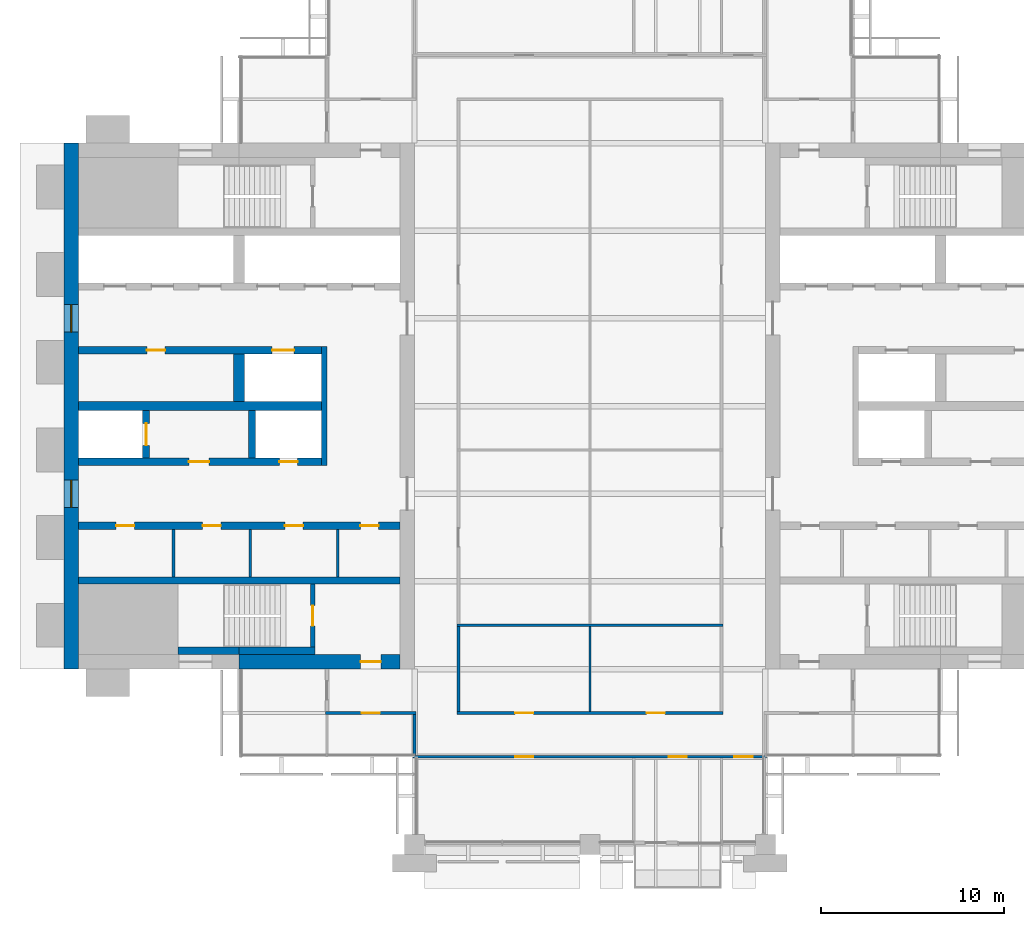
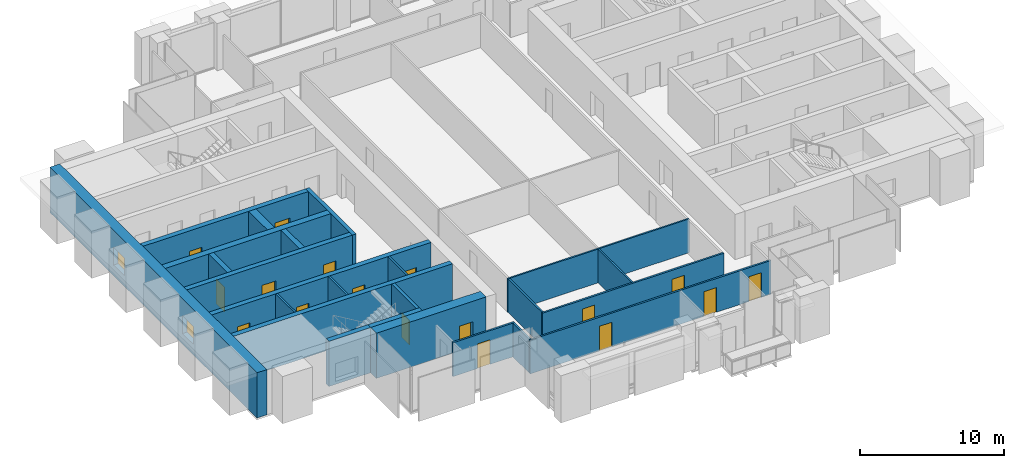
# One storey, part 8 of 14: 24 walls, 17 doors, 2 windows, 19 openings.
"""IFC4 building model written with IfcOpenShell, lengths in metres."""

from ifc_helpers import new_model, si_unit, direction, frame, frame_2d, origin, place, context, subcontext, project, spatial, rectangle, extrude, material, layer, layer_set, type_object, element, fill, save


model = new_model("IFC4")

# Units and contexts
model_context = context("Model", 3, precision=1e-05, world=origin(), true_north=direction((0.0, 1.0)))
body_context = subcontext(model_context, "Body", "Model", "MODEL_VIEW")
ifc_project = project(units=[si_unit("LENGTHUNIT", "METRE"), si_unit("AREAUNIT", "SQUARE_METRE"), si_unit("VOLUMEUNIT", "CUBIC_METRE"), si_unit("PLANEANGLEUNIT", "RADIAN"), si_unit("MASSUNIT", "GRAM", prefix="KILO")], contexts=[model_context])

# Site, building, storey
site_placement = place(None, origin())
site = spatial("IfcSite", under=ifc_project, at=site_placement, CompositionType="ELEMENT")
building_placement = place(site_placement, origin())
building = spatial("IfcBuilding", under=site, at=building_placement, Name="Baori Bourse Tower", CompositionType="ELEMENT")
storey_placement = place(building_placement, frame((0.0, 0.0, 197.199951171875)))
storey = spatial("IfcBuildingStorey", under=building, at=storey_placement, Name="L42", CompositionType="ELEMENT", Elevation=197.199951171875)

# Walls
ifc_material_1 = material(Name="Blockwork partition", Category="masonry")
ifc_layer_1 = layer(ifc_material_1, 0.14990234375)
ifc_layer_set_1 = layer_set([ifc_layer_1], Name="Core partition 150")
wall_type_1 = type_object("IfcWallType", Name="Core partition 150", PredefinedType="PARTITIONING", material=ifc_layer_set_1)
for number, where, z_axis, x_axis, name in (
    (1, (6.0, 14.64990234375, 0.0), (0.0, 0.0, 1.0), (0.0, 1.0, 0.0), "Partition wall W10"),
    (2, (10.199951171875, 14.64990234375, 0.0), (0.0, 0.0, 1.0), (0.0, 1.0, 0.0), "Partition wall W11"),
    (3, (15.0, 14.64990234375, 0.0), (0.0, 0.0, 1.0), (0.0, 1.0, 0.0), "Partition wall W12"),
):
    element("IfcWall", number, at=place(storey_placement, frame(where, z_axis=z_axis, x_axis=x_axis)), inside=storey, type_object=wall_type_1, Name=name, PredefinedType="PARTITIONING", context=body_context, shape_type="SweptSolid", body=[
        extrude(rectangle(XDim=2.60009765625, YDim=0.14990234375, at=frame_2d((1.300048828125, 0.0))), origin(), (0.0, 0.0, 1.0), 3.840087890625),
    ])

# Wall, openings, windows
ifc_material_2 = material(Name="Concrete f'c 50 MPa", Category="concrete")
ifc_layer_2 = layer(ifc_material_2, 0.800048828125)
ifc_layer_set_2 = layer_set([ifc_layer_2], Name="Core wall 800 f'c 50")
wall_type_2 = type_object("IfcWallType", Name="Core wall 800 f'c 50", PredefinedType="SHEAR", material=ifc_layer_set_2)
wall_1_placement = place(storey_placement, frame((0.39990234375, 9.60009765625, 0.0), z_axis=(0.0, 0.0, 1.0), x_axis=(0.0, 1.0, 0.0)))
wall_1 = element("IfcWall", 4, at=wall_1_placement, inside=storey, type_object=wall_type_2, Name="Core wall W01", PredefinedType="SHEAR", context=body_context, shape_type="SweptSolid", body=[
    extrude(rectangle(XDim=28.7998046875, YDim=0.800048828125, at=frame_2d((14.39990234375, 0.0))), origin(), (0.0, 0.0, 1.0), 3.840087890625),
])
opening_1_placement = place(wall_1_placement, frame((8.85009765625, 0.0, 0.89990234375)))
opening_1 = element("IfcOpeningElement", 5, at=opening_1_placement, cuts=wall_1, Name="Opening L42-KW101", PredefinedType="OPENING", context=body_context, shape_type="SweptSolid", body=[
    extrude(rectangle(XDim=1.5, YDim=1.5, at=frame_2d((0.75, 0.75))), frame((0.0, 0.409912109375, 0.0), z_axis=(0.0, -1.0, 0.0), x_axis=(1.0, 0.0, 0.0)), (0.0, 0.0, 1.0), 0.820068359375),
])
opening_2_placement = place(wall_1_placement, frame((18.449951171875, 0.0, 0.89990234375)))
opening_2 = element("IfcOpeningElement", 6, at=opening_2_placement, cuts=wall_1, Name="Opening L42-KW102", PredefinedType="OPENING", context=body_context, shape_type="SweptSolid", body=[
    extrude(rectangle(XDim=1.5, YDim=1.5, at=frame_2d((0.75, 0.75))), frame((0.0, 0.409912109375, 0.0), z_axis=(0.0, -1.0, 0.0), x_axis=(1.0, 0.0, 0.0)), (0.0, 0.0, 1.0), 0.820068359375),
])
ifc_material_3 = material(Name="Pale anodised aluminium", Category="aluminium")
window_type = type_object("IfcWindowType", Name="Lobby window 1500 x 1500", PartitioningType="SINGLE_PANEL", PredefinedType="WINDOW", material=ifc_material_3)
window_1_placement = place(opening_1_placement, origin())
window_1 = element("IfcWindow", 7, at=window_1_placement, inside=storey, type_object=window_type, Name="Outer wall window W L42 1", OverallHeight=1.5, OverallWidth=1.5, PartitioningType="SINGLE_PANEL", PredefinedType="WINDOW", context=body_context, shape_type="SweptSolid", body=[
    extrude(rectangle(XDim=1.5, YDim=1.5, at=frame_2d((0.75, 0.75))), frame((0.0, 0.030029296875, 0.0), z_axis=(0.0, -1.0, 0.0), x_axis=(1.0, 0.0, 0.0)), (0.0, 0.0, 1.0), 0.06005859375),
])
fill(opening_1, window_1)
window_2_placement = place(opening_2_placement, origin())
window_2 = element("IfcWindow", 8, at=window_2_placement, inside=storey, type_object=window_type, Name="Outer wall window W L42 2", OverallHeight=1.5, OverallWidth=1.5, PartitioningType="SINGLE_PANEL", PredefinedType="WINDOW", context=body_context, shape_type="SweptSolid", body=[
    extrude(rectangle(XDim=1.5, YDim=1.5, at=frame_2d((0.75, 0.75))), frame((0.0, 0.030029296875, 0.0), z_axis=(0.0, -1.0, 0.0), x_axis=(1.0, 0.0, 0.0)), (0.0, 0.0, 1.0), 0.06005859375),
])
fill(opening_2, window_2)

# Wall, opening, door
wall_2_placement = place(storey_placement, frame((18.39990234375, 10.0, 0.0), z_axis=(0.0, 0.0, 1.0), x_axis=(-1.0, 0.0, 0.0)))
wall_2 = element("IfcWall", 9, at=wall_2_placement, inside=storey, type_object=wall_type_2, Name="Core wall W03", PredefinedType="SHEAR", context=body_context, shape_type="SweptSolid", body=[
    extrude(rectangle(XDim=8.7998046875, YDim=0.800048828125, at=frame_2d((4.39990234375, 0.0))), origin(), (0.0, 0.0, 1.0), 3.840087890625),
])
opening_3_placement = place(wall_2_placement, frame((1.050048828125, 0.0, 0.0)))
opening_3 = element("IfcOpeningElement", 10, at=opening_3_placement, cuts=wall_2, Name="Opening L42-D102", PredefinedType="OPENING", context=body_context, shape_type="SweptSolid", body=[
    extrude(rectangle(XDim=1.10009765625, YDim=2.10009765625, at=frame_2d((0.550048828125, 1.050048828125))), frame((0.0, 0.409912109375, 0.0), z_axis=(0.0, -1.0, 0.0), x_axis=(1.0, 0.0, 0.0)), (0.0, 0.0, 1.0), 0.820068359375),
])
ifc_material_4 = material(Name="Painted steel door", Category="steel")
door_type_1 = type_object("IfcDoorType", Name="Stair door 1100", OperationType="SINGLE_SWING_LEFT", PredefinedType="DOOR", material=ifc_material_4)
door_1_placement = place(opening_3_placement, origin())
door_1 = element("IfcDoor", 11, at=door_1_placement, inside=storey, type_object=door_type_1, Name="Stair vestibule door A W L42", OperationType="SINGLE_SWING_LEFT", OverallHeight=2.10009765625, OverallWidth=1.10009765625, PredefinedType="DOOR", context=body_context, shape_type="SweptSolid", body=[
    extrude(rectangle(XDim=1.10009765625, YDim=2.10009765625, at=frame_2d((0.550048828125, 1.050048828125))), frame((0.0, 0.02490234375, 0.0), z_axis=(0.0, -1.0, 0.0), x_axis=(1.0, 0.0, 0.0)), (0.0, 0.0, 1.0), 0.050048828125),
])
fill(opening_3, door_1)

# Wall, openings, doors
ifc_material_5 = material(Name="Gypsum board partition")
ifc_layer_3 = layer(ifc_material_5, 0.14990234375)
ifc_layer_set_3 = layer_set([ifc_layer_3], Name="Corridor partition 150")
wall_type_3 = type_object("IfcWallType", Name="Corridor partition 150", PredefinedType="PARTITIONING", material=ifc_layer_set_3)
wall_3_placement = place(storey_placement, frame((19.125, 4.800048828125, 0.0), z_axis=(0.0, 0.0, 1.0), x_axis=(1.0, 0.0, 0.0)))
wall_3 = element("IfcWall", 12, at=wall_3_placement, inside=storey, type_object=wall_type_3, Name="Partition", PredefinedType="PARTITIONING", context=body_context, shape_type="SweptSolid", body=[
    extrude(rectangle(XDim=19.35009765625, YDim=0.14990234375, at=frame_2d((9.675048828125, 0.0))), origin(), (0.0, 0.0, 1.0), 2.869873046875),
])
opening_4_placement = place(wall_3_placement, frame((5.574951171875, 0.0, 0.0)))
opening_4 = element("IfcOpeningElement", 13, at=opening_4_placement, cuts=wall_3, Name="Opening L42-D01", PredefinedType="OPENING", context=body_context, shape_type="SweptSolid", body=[
    extrude(rectangle(XDim=1.0, YDim=2.10009765625, at=frame_2d((0.5, 1.050048828125))), frame((0.0, 0.0849609375, 0.0), z_axis=(0.0, -1.0, 0.0), x_axis=(1.0, 0.0, 0.0)), (0.0, 0.0, 1.0), 0.169921875),
])
opening_5_placement = place(wall_3_placement, frame((13.97509765625, 0.0, 0.0)))
opening_5 = element("IfcOpeningElement", 14, at=opening_5_placement, cuts=wall_3, Name="Opening L42-D02", PredefinedType="OPENING", context=body_context, shape_type="SweptSolid", body=[
    extrude(rectangle(XDim=1.0, YDim=2.10009765625, at=frame_2d((0.5, 1.050048828125))), frame((0.0, 0.0849609375, 0.0), z_axis=(0.0, -1.0, 0.0), x_axis=(1.0, 0.0, 0.0)), (0.0, 0.0, 1.0), 0.169921875),
])
opening_6_placement = place(wall_3_placement, frame((17.574951171875, 0.0, 0.0)))
opening_6 = element("IfcOpeningElement", 15, at=opening_6_placement, cuts=wall_3, Name="Opening L42-D03", PredefinedType="OPENING", context=body_context, shape_type="SweptSolid", body=[
    extrude(rectangle(XDim=1.0, YDim=2.10009765625, at=frame_2d((0.5, 1.050048828125))), frame((0.0, 0.0849609375, 0.0), z_axis=(0.0, -1.0, 0.0), x_axis=(1.0, 0.0, 0.0)), (0.0, 0.0, 1.0), 0.169921875),
])
ifc_material_6 = material(Name="Timber door leaf", Category="wood")
door_type_2 = type_object("IfcDoorType", Name="Door 1000 x 2100", OperationType="SINGLE_SWING_LEFT", PredefinedType="DOOR", material=ifc_material_6)
door_2_placement = place(opening_4_placement, origin())
door_2 = element("IfcDoor", 16, at=door_2_placement, inside=storey, type_object=door_type_2, Name="Door", OperationType="SINGLE_SWING_LEFT", OverallHeight=2.10009765625, OverallWidth=1.0, PredefinedType="DOOR", context=body_context, shape_type="SweptSolid", body=[
    extrude(rectangle(XDim=1.0, YDim=2.10009765625, at=frame_2d((0.5, 1.050048828125))), frame((0.0, 0.02490234375, 0.0), z_axis=(0.0, -1.0, 0.0), x_axis=(1.0, 0.0, 0.0)), (0.0, 0.0, 1.0), 0.050048828125),
])
fill(opening_4, door_2)
door_3_placement = place(opening_5_placement, origin())
door_3 = element("IfcDoor", 17, at=door_3_placement, inside=storey, type_object=door_type_2, Name="Door", OperationType="SINGLE_SWING_RIGHT", OverallHeight=2.10009765625, OverallWidth=1.0, PredefinedType="DOOR", context=body_context, shape_type="SweptSolid", body=[
    extrude(rectangle(XDim=1.0, YDim=2.10009765625, at=frame_2d((0.5, 1.050048828125))), frame((0.0, 0.02490234375, 0.0), z_axis=(0.0, -1.0, 0.0), x_axis=(1.0, 0.0, 0.0)), (0.0, 0.0, 1.0), 0.050048828125),
])
fill(opening_5, door_3)
door_4_placement = place(opening_6_placement, origin())
door_4 = element("IfcDoor", 18, at=door_4_placement, inside=storey, type_object=door_type_2, Name="Door", OperationType="SINGLE_SWING_RIGHT", OverallHeight=2.10009765625, OverallWidth=1.0, PredefinedType="DOOR", context=body_context, shape_type="SweptSolid", body=[
    extrude(rectangle(XDim=1.0, YDim=2.10009765625, at=frame_2d((0.5, 1.050048828125))), frame((0.0, 0.02490234375, 0.0), z_axis=(0.0, -1.0, 0.0), x_axis=(1.0, 0.0, 0.0)), (0.0, 0.0, 1.0), 0.050048828125),
])
fill(opening_6, door_4)

# Wall, opening, door
wall_4_placement = place(storey_placement, frame((14.324951171875, 7.199951171875, 0.0), z_axis=(0.0, 0.0, 1.0), x_axis=(1.0, 0.0, 0.0)))
wall_4 = element("IfcWall", 19, at=wall_4_placement, inside=storey, type_object=wall_type_3, Name="Partition", PredefinedType="PARTITIONING", context=body_context, shape_type="SweptSolid", body=[
    extrude(rectangle(XDim=4.949951171875, YDim=0.14990234375, at=frame_2d((2.47509765625, 0.0))), origin(), (0.0, 0.0, 1.0), 2.869873046875),
])
opening_7_placement = place(wall_4_placement, frame((1.97509765625, 0.0, 0.0)))
opening_7 = element("IfcOpeningElement", 20, at=opening_7_placement, cuts=wall_4, Name="Opening L42-D04", PredefinedType="OPENING", context=body_context, shape_type="SweptSolid", body=[
    extrude(rectangle(XDim=1.0, YDim=2.10009765625, at=frame_2d((0.5, 1.050048828125))), frame((0.0, 0.0849609375, 0.0), z_axis=(0.0, -1.0, 0.0), x_axis=(1.0, 0.0, 0.0)), (0.0, 0.0, 1.0), 0.169921875),
])
door_5_placement = place(opening_7_placement, origin())
door_5 = element("IfcDoor", 21, at=door_5_placement, inside=storey, type_object=door_type_2, Name="Door", OperationType="SINGLE_SWING_RIGHT", OverallHeight=2.10009765625, OverallWidth=1.0, PredefinedType="DOOR", context=body_context, shape_type="SweptSolid", body=[
    extrude(rectangle(XDim=1.0, YDim=2.10009765625, at=frame_2d((0.5, 1.050048828125))), frame((0.0, 0.02490234375, 0.0), z_axis=(0.0, -1.0, 0.0), x_axis=(1.0, 0.0, 0.0)), (0.0, 0.0, 1.0), 0.050048828125),
])
fill(opening_7, door_5)

# Wall, openings, doors
wall_5_placement = place(storey_placement, frame((21.52490234375, 7.199951171875, 0.0), z_axis=(0.0, 0.0, 1.0), x_axis=(1.0, 0.0, 0.0)))
wall_5 = element("IfcWall", 22, at=wall_5_placement, inside=storey, type_object=wall_type_3, Name="Partition", PredefinedType="PARTITIONING", context=body_context, shape_type="SweptSolid", body=[
    extrude(rectangle(XDim=14.550048828125, YDim=0.14990234375, at=frame_2d((7.27490234375, 0.0))), origin(), (0.0, 0.0, 1.0), 2.869873046875),
])
opening_8_placement = place(wall_5_placement, frame((3.175048828125, 0.0, 0.0)))
opening_8 = element("IfcOpeningElement", 23, at=opening_8_placement, cuts=wall_5, Name="Opening L42-D05", PredefinedType="OPENING", context=body_context, shape_type="SweptSolid", body=[
    extrude(rectangle(XDim=1.0, YDim=2.10009765625, at=frame_2d((0.5, 1.050048828125))), frame((0.0, 0.0849609375, 0.0), z_axis=(0.0, -1.0, 0.0), x_axis=(1.0, 0.0, 0.0)), (0.0, 0.0, 1.0), 0.169921875),
])
opening_9_placement = place(wall_5_placement, frame((10.375, 0.0, 0.0)))
opening_9 = element("IfcOpeningElement", 24, at=opening_9_placement, cuts=wall_5, Name="Opening L42-D06", PredefinedType="OPENING", context=body_context, shape_type="SweptSolid", body=[
    extrude(rectangle(XDim=1.0, YDim=2.10009765625, at=frame_2d((0.5, 1.050048828125))), frame((0.0, 0.0849609375, 0.0), z_axis=(0.0, -1.0, 0.0), x_axis=(1.0, 0.0, 0.0)), (0.0, 0.0, 1.0), 0.169921875),
])
door_6_placement = place(opening_8_placement, origin())
door_6 = element("IfcDoor", 25, at=door_6_placement, inside=storey, type_object=door_type_2, Name="Door", OperationType="SINGLE_SWING_RIGHT", OverallHeight=2.10009765625, OverallWidth=1.0, PredefinedType="DOOR", context=body_context, shape_type="SweptSolid", body=[
    extrude(rectangle(XDim=1.0, YDim=2.10009765625, at=frame_2d((0.5, 1.050048828125))), frame((0.0, 0.02490234375, 0.0), z_axis=(0.0, -1.0, 0.0), x_axis=(1.0, 0.0, 0.0)), (0.0, 0.0, 1.0), 0.050048828125),
])
fill(opening_8, door_6)
door_7_placement = place(opening_9_placement, origin())
door_7 = element("IfcDoor", 26, at=door_7_placement, inside=storey, type_object=door_type_2, Name="Door", OperationType="SINGLE_SWING_LEFT", OverallHeight=2.10009765625, OverallWidth=1.0, PredefinedType="DOOR", context=body_context, shape_type="SweptSolid", body=[
    extrude(rectangle(XDim=1.0, YDim=2.10009765625, at=frame_2d((0.5, 1.050048828125))), frame((0.0, 0.02490234375, 0.0), z_axis=(0.0, -1.0, 0.0), x_axis=(1.0, 0.0, 0.0)), (0.0, 0.0, 1.0), 0.050048828125),
])
fill(opening_9, door_7)

# Walls
wall_6_placement = place(storey_placement, frame((19.199951171875, 4.875, 0.0), z_axis=(0.0, 0.0, 1.0), x_axis=(0.0, 1.0, 0.0)))
element("IfcWall", 27, at=wall_6_placement, inside=storey, type_object=wall_type_3, Name="Partition", PredefinedType="PARTITIONING", context=body_context, shape_type="SweptSolid", body=[
    extrude(rectangle(XDim=2.25, YDim=0.14990234375, at=frame_2d((1.125, 0.0))), origin(), (0.0, 0.0, 1.0), 2.869873046875),
])
wall_7_placement = place(storey_placement, frame((21.60009765625, 7.27490234375, 0.0), z_axis=(0.0, 0.0, 1.0), x_axis=(0.0, 1.0, 0.0)))
element("IfcWall", 28, at=wall_7_placement, inside=storey, type_object=wall_type_3, Name="Partition", PredefinedType="PARTITIONING", context=body_context, shape_type="SweptSolid", body=[
    extrude(rectangle(XDim=4.66259765625, YDim=0.14990234375, at=frame_2d((2.331298828125, 0.0))), origin(), (0.0, 0.0, 1.0), 2.869873046875),
])
ifc_material_7 = material(Name="Gypsum board partition")
ifc_layer_4 = layer(ifc_material_7, 0.125)
ifc_layer_set_4 = layer_set([ifc_layer_4], Name="Partition 125")
wall_type_4 = type_object("IfcWallType", Name="Partition 125", PredefinedType="PARTITIONING", material=ifc_layer_set_4)
wall_8_placement = place(storey_placement, frame((21.52490234375, 12.0, 0.0), z_axis=(0.0, 0.0, 1.0), x_axis=(1.0, 0.0, 0.0)))
element("IfcWall", 29, at=wall_8_placement, inside=storey, type_object=wall_type_4, Name="Partition", PredefinedType="PARTITIONING", context=body_context, shape_type="SweptSolid", body=[
    extrude(rectangle(XDim=14.550048828125, YDim=0.125, at=frame_2d((7.27490234375, 0.0))), origin(), (0.0, 0.0, 1.0), 2.869873046875),
])
wall_9_placement = place(storey_placement, frame((28.800048828125, 7.27490234375, 0.0), z_axis=(0.0, 0.0, 1.0), x_axis=(0.0, 1.0, 0.0)))
element("IfcWall", 30, at=wall_9_placement, inside=storey, type_object=wall_type_4, Name="Partition", PredefinedType="PARTITIONING", context=body_context, shape_type="SweptSolid", body=[
    extrude(rectangle(XDim=4.66259765625, YDim=0.125, at=frame_2d((2.331298828125, 0.0))), origin(), (0.0, 0.0, 1.0), 2.869873046875),
])

# Wall, opening, door
ifc_material_8 = material(Name="Concrete f'c 50 MPa", Category="concrete")
ifc_layer_5 = layer(ifc_material_8, 0.25)
ifc_layer_set_5 = layer_set([ifc_layer_5], Name="Shaft wall 250 f'c 50")
wall_type_5 = type_object("IfcWallType", Name="Shaft wall 250 f'c 50", PredefinedType="SHEAR", material=ifc_layer_set_5)
wall_10_placement = place(storey_placement, frame((13.625, 10.800048828125, 0.0), z_axis=(0.0, 0.0, 1.0), x_axis=(0.0, 1.0, 0.0)))
wall_10 = element("IfcWall", 31, at=wall_10_placement, inside=storey, type_object=wall_type_5, Name="Core wall W08", PredefinedType="SHEAR", context=body_context, shape_type="SweptSolid", body=[
    extrude(rectangle(XDim=3.449951171875, YDim=0.25, at=frame_2d((1.72509765625, 0.0))), origin(), (0.0, 0.0, 1.0), 3.840087890625),
])
opening_10_placement = place(wall_10_placement, frame((1.175048828125, 0.0, 0.0)))
opening_10 = element("IfcOpeningElement", 32, at=opening_10_placement, cuts=wall_10, Name="Opening L42-D101", PredefinedType="OPENING", context=body_context, shape_type="SweptSolid", body=[
    extrude(rectangle(XDim=1.10009765625, YDim=2.10009765625, at=frame_2d((0.550048828125, 1.050048828125))), frame((0.0, 0.135009765625, 0.0), z_axis=(0.0, -1.0, 0.0), x_axis=(1.0, 0.0, 0.0)), (0.0, 0.0, 1.0), 0.27001953125),
])
door_8_placement = place(opening_10_placement, origin())
door_8 = element("IfcDoor", 33, at=door_8_placement, inside=storey, type_object=door_type_1, Name="Stair door A W L42", OperationType="SINGLE_SWING_LEFT", OverallHeight=2.10009765625, OverallWidth=1.10009765625, PredefinedType="DOOR", context=body_context, shape_type="SweptSolid", body=[
    extrude(rectangle(XDim=1.10009765625, YDim=2.10009765625, at=frame_2d((0.550048828125, 1.050048828125))), frame((0.0, 0.02490234375, 0.0), z_axis=(0.0, -1.0, 0.0), x_axis=(1.0, 0.0, 0.0)), (0.0, 0.0, 1.0), 0.050048828125),
])
fill(opening_10, door_8)

# Walls
ifc_material_9 = material(Name="Concrete f'c 50 MPa", Category="concrete")
ifc_layer_6 = layer(ifc_material_9, 0.300048828125)
ifc_layer_set_6 = layer_set([ifc_layer_6], Name="Shaft wall 300 f'c 50")
wall_type_6 = type_object("IfcWallType", Name="Shaft wall 300 f'c 50", PredefinedType="SHEAR", material=ifc_layer_set_6)
wall_11_placement = place(storey_placement, frame((14.25, 20.75, 0.0), z_axis=(0.0, 0.0, 1.0), x_axis=(0.0, 1.0, 0.0)))
element("IfcWall", 34, at=wall_11_placement, inside=storey, type_object=wall_type_6, Name="Core wall W15", PredefinedType="SHEAR", context=body_context, shape_type="SweptSolid", body=[
    extrude(rectangle(XDim=6.5, YDim=0.300048828125, at=frame_2d((3.25, 0.0))), origin(), (0.0, 0.0, 1.0), 3.840087890625),
])
ifc_material_10 = material(Name="Concrete f'c 50 MPa", Category="concrete")
ifc_layer_7 = layer(ifc_material_10, 0.39990234375)
ifc_layer_set_7 = layer_set([ifc_layer_7], Name="Shaft wall 400 f'c 50")
wall_type_7 = type_object("IfcWallType", Name="Shaft wall 400 f'c 50", PredefinedType="SHEAR", material=ifc_layer_set_7)
wall_12_placement = place(storey_placement, frame((6.25, 10.60009765625, 0.0), z_axis=(0.0, 0.0, 1.0), x_axis=(1.0, 0.0, 0.0)))
element("IfcWall", 35, at=wall_12_placement, inside=storey, type_object=wall_type_7, Name="Core wall W06", PredefinedType="SHEAR", context=body_context, shape_type="SweptSolid", body=[
    extrude(rectangle(XDim=3.35009765625, YDim=0.39990234375, at=frame_2d((1.675048828125, 0.0))), origin(), (0.0, 0.0, 1.0), 3.840087890625),
])
wall_13_placement = place(storey_placement, frame((9.60009765625, 10.60009765625, 0.0), z_axis=(0.0, 0.0, 1.0), x_axis=(1.0, 0.0, 0.0)))
element("IfcWall", 36, at=wall_13_placement, inside=storey, type_object=wall_type_7, Name="Core wall W07", PredefinedType="SHEAR", context=body_context, shape_type="SweptSolid", body=[
    extrude(rectangle(XDim=4.14990234375, YDim=0.39990234375, at=frame_2d((2.074951171875, 0.0))), origin(), (0.0, 0.0, 1.0), 3.840087890625),
])
wall_14_placement = place(storey_placement, frame((0.800048828125, 14.449951171875, 0.0), z_axis=(0.0, 0.0, 1.0), x_axis=(1.0, 0.0, 0.0)))
element("IfcWall", 37, at=wall_14_placement, inside=storey, type_object=wall_type_7, Name="Core wall W09", PredefinedType="SHEAR", context=body_context, shape_type="SweptSolid", body=[
    extrude(rectangle(XDim=17.599853515625, YDim=0.39990234375, at=frame_2d((8.7998046875, 0.0))), origin(), (0.0, 0.0, 1.0), 3.840087890625),
])

# Wall, openings, doors
wall_15_placement = place(storey_placement, frame((0.800048828125, 17.449951171875, 0.0), z_axis=(0.0, 0.0, 1.0), x_axis=(1.0, 0.0, 0.0)))
wall_15 = element("IfcWall", 38, at=wall_15_placement, inside=storey, type_object=wall_type_7, Name="Core wall W13", PredefinedType="SHEAR", context=body_context, shape_type="SweptSolid", body=[
    extrude(rectangle(XDim=17.599853515625, YDim=0.39990234375, at=frame_2d((8.7998046875, 0.0))), origin(), (0.0, 0.0, 1.0), 3.840087890625),
])
opening_11_placement = place(wall_15_placement, frame((2.0625, 0.0, 0.0)))
opening_11 = element("IfcOpeningElement", 39, at=opening_11_placement, cuts=wall_15, Name="Opening L42-D109", PredefinedType="OPENING", context=body_context, shape_type="SweptSolid", body=[
    extrude(rectangle(XDim=1.0, YDim=2.10009765625, at=frame_2d((0.5, 1.050048828125))), frame((0.0, 0.2099609375, 0.0), z_axis=(0.0, -1.0, 0.0), x_axis=(1.0, 0.0, 0.0)), (0.0, 0.0, 1.0), 0.419921875),
])
opening_12_placement = place(wall_15_placement, frame((6.800048828125, 0.0, 0.0)))
opening_12 = element("IfcOpeningElement", 40, at=opening_12_placement, cuts=wall_15, Name="Opening L42-D110", PredefinedType="OPENING", context=body_context, shape_type="SweptSolid", body=[
    extrude(rectangle(XDim=1.0, YDim=2.10009765625, at=frame_2d((0.5, 1.050048828125))), frame((0.0, 0.2099609375, 0.0), z_axis=(0.0, -1.0, 0.0), x_axis=(1.0, 0.0, 0.0)), (0.0, 0.0, 1.0), 0.419921875),
])
opening_13_placement = place(wall_15_placement, frame((11.300048828125, 0.0, 0.0)))
opening_13 = element("IfcOpeningElement", 41, at=opening_13_placement, cuts=wall_15, Name="Opening L42-D111", PredefinedType="OPENING", context=body_context, shape_type="SweptSolid", body=[
    extrude(rectangle(XDim=1.0, YDim=2.10009765625, at=frame_2d((0.5, 1.050048828125))), frame((0.0, 0.2099609375, 0.0), z_axis=(0.0, -1.0, 0.0), x_axis=(1.0, 0.0, 0.0)), (0.0, 0.0, 1.0), 0.419921875),
])
opening_14_placement = place(wall_15_placement, frame((15.4375, 0.0, 0.0)))
opening_14 = element("IfcOpeningElement", 42, at=opening_14_placement, cuts=wall_15, Name="Opening L42-D112", PredefinedType="OPENING", context=body_context, shape_type="SweptSolid", body=[
    extrude(rectangle(XDim=1.0, YDim=2.10009765625, at=frame_2d((0.5, 1.050048828125))), frame((0.0, 0.2099609375, 0.0), z_axis=(0.0, -1.0, 0.0), x_axis=(1.0, 0.0, 0.0)), (0.0, 0.0, 1.0), 0.419921875),
])
ifc_material_11 = material(Name="Painted steel door", Category="steel")
door_type_3 = type_object("IfcDoorType", Name="Core door 1000", OperationType="SINGLE_SWING_LEFT", PredefinedType="DOOR", material=ifc_material_11)
door_9_placement = place(opening_11_placement, origin())
door_9 = element("IfcDoor", 43, at=door_9_placement, inside=storey, type_object=door_type_3, Name="Men'S Wc door W L42", OperationType="SINGLE_SWING_LEFT", OverallHeight=2.10009765625, OverallWidth=1.0, PredefinedType="DOOR", context=body_context, shape_type="SweptSolid", body=[
    extrude(rectangle(XDim=1.0, YDim=2.10009765625, at=frame_2d((0.5, 1.050048828125))), frame((0.0, 0.02490234375, 0.0), z_axis=(0.0, -1.0, 0.0), x_axis=(1.0, 0.0, 0.0)), (0.0, 0.0, 1.0), 0.050048828125),
])
fill(opening_11, door_9)
door_10_placement = place(opening_12_placement, origin())
door_10 = element("IfcDoor", 44, at=door_10_placement, inside=storey, type_object=door_type_3, Name="Accessible Wc door W L42", OperationType="SINGLE_SWING_LEFT", OverallHeight=2.10009765625, OverallWidth=1.0, PredefinedType="DOOR", context=body_context, shape_type="SweptSolid", body=[
    extrude(rectangle(XDim=1.0, YDim=2.10009765625, at=frame_2d((0.5, 1.050048828125))), frame((0.0, 0.02490234375, 0.0), z_axis=(0.0, -1.0, 0.0), x_axis=(1.0, 0.0, 0.0)), (0.0, 0.0, 1.0), 0.050048828125),
])
fill(opening_12, door_10)
door_11_placement = place(opening_13_placement, origin())
door_11 = element("IfcDoor", 45, at=door_11_placement, inside=storey, type_object=door_type_3, Name="Women'S Wc door W L42", OperationType="SINGLE_SWING_LEFT", OverallHeight=2.10009765625, OverallWidth=1.0, PredefinedType="DOOR", context=body_context, shape_type="SweptSolid", body=[
    extrude(rectangle(XDim=1.0, YDim=2.10009765625, at=frame_2d((0.5, 1.050048828125))), frame((0.0, 0.02490234375, 0.0), z_axis=(0.0, -1.0, 0.0), x_axis=(1.0, 0.0, 0.0)), (0.0, 0.0, 1.0), 0.050048828125),
])
fill(opening_13, door_11)
ifc_material_12 = material(Name="Painted steel door", Category="steel")
door_type_4 = type_object("IfcDoorType", Name="Plant room door 1000", OperationType="SINGLE_SWING_LEFT", PredefinedType="DOOR", material=ifc_material_12)
door_12_placement = place(opening_14_placement, origin())
door_12 = element("IfcDoor", 46, at=door_12_placement, inside=storey, type_object=door_type_4, Name="Plumbing Equipment Room door W L42", OperationType="SINGLE_SWING_LEFT", OverallHeight=2.10009765625, OverallWidth=1.0, PredefinedType="DOOR", context=body_context, shape_type="SweptSolid", body=[
    extrude(rectangle(XDim=1.0, YDim=2.10009765625, at=frame_2d((0.5, 1.050048828125))), frame((0.0, 0.02490234375, 0.0), z_axis=(0.0, -1.0, 0.0), x_axis=(1.0, 0.0, 0.0)), (0.0, 0.0, 1.0), 0.050048828125),
])
fill(opening_14, door_12)

wall_16_placement = place(storey_placement, frame((0.800048828125, 20.949951171875, 0.0), z_axis=(0.0, 0.0, 1.0), x_axis=(1.0, 0.0, 0.0)))
wall_16 = element("IfcWall", 47, at=wall_16_placement, inside=storey, type_object=wall_type_7, Name="Core wall W14", PredefinedType="SHEAR", context=body_context, shape_type="SweptSolid", body=[
    extrude(rectangle(XDim=13.300048828125, YDim=0.39990234375, at=frame_2d((6.64990234375, 0.0))), origin(), (0.0, 0.0, 1.0), 3.840087890625),
])
opening_15_placement = place(wall_16_placement, frame((6.050048828125, 0.0, 0.0)))
opening_15 = element("IfcOpeningElement", 48, at=opening_15_placement, cuts=wall_16, Name="Opening L42-D105", PredefinedType="OPENING", context=body_context, shape_type="SweptSolid", body=[
    extrude(rectangle(XDim=1.10009765625, YDim=2.10009765625, at=frame_2d((0.550048828125, 1.050048828125))), frame((0.0, 0.2099609375, 0.0), z_axis=(0.0, -1.0, 0.0), x_axis=(1.0, 0.0, 0.0)), (0.0, 0.0, 1.0), 0.419921875),
])
opening_16_placement = place(wall_16_placement, frame((11.0, 0.0, 0.0)))
opening_16 = element("IfcOpeningElement", 49, at=opening_16_placement, cuts=wall_16, Name="Opening L42-D106", PredefinedType="OPENING", context=body_context, shape_type="SweptSolid", body=[
    extrude(rectangle(XDim=1.0, YDim=2.10009765625, at=frame_2d((0.5, 1.050048828125))), frame((0.0, 0.2099609375, 0.0), z_axis=(0.0, -1.0, 0.0), x_axis=(1.0, 0.0, 0.0)), (0.0, 0.0, 1.0), 0.419921875),
])
ifc_material_13 = material(Name="Painted steel door", Category="steel")
door_type_5 = type_object("IfcDoorType", Name="Lobby door 1100", OperationType="SINGLE_SWING_LEFT", PredefinedType="DOOR", material=ifc_material_13)
door_13_placement = place(opening_15_placement, origin())
door_13 = element("IfcDoor", 50, at=door_13_placement, inside=storey, type_object=door_type_5, Name="Firefighting lobby door W L42", OperationType="SINGLE_SWING_LEFT", OverallHeight=2.10009765625, OverallWidth=1.10009765625, PredefinedType="DOOR", context=body_context, shape_type="SweptSolid", body=[
    extrude(rectangle(XDim=1.10009765625, YDim=2.10009765625, at=frame_2d((0.550048828125, 1.050048828125))), frame((0.0, 0.02490234375, 0.0), z_axis=(0.0, -1.0, 0.0), x_axis=(1.0, 0.0, 0.0)), (0.0, 0.0, 1.0), 0.050048828125),
])
fill(opening_15, door_13)
ifc_material_14 = material(Name="Painted steel door", Category="steel")
door_type_6 = type_object("IfcDoorType", Name="Shaft door 1000", OperationType="SINGLE_SWING_LEFT", PredefinedType="DOOR", material=ifc_material_14)
door_14_placement = place(opening_16_placement, origin())
door_14 = element("IfcDoor", 51, at=door_14_placement, inside=storey, type_object=door_type_6, Name="Riser room door W L42", OperationType="SINGLE_SWING_LEFT", OverallHeight=2.10009765625, OverallWidth=1.0, PredefinedType="DOOR", context=body_context, shape_type="SweptSolid", body=[
    extrude(rectangle(XDim=1.0, YDim=2.10009765625, at=frame_2d((0.5, 1.050048828125))), frame((0.0, 0.02490234375, 0.0), z_axis=(0.0, -1.0, 0.0), x_axis=(1.0, 0.0, 0.0)), (0.0, 0.0, 1.0), 0.050048828125),
])
fill(opening_16, door_14)

# Wall, opening, door
wall_17_placement = place(storey_placement, frame((4.5, 21.14990234375, 0.0), z_axis=(0.0, 0.0, 1.0), x_axis=(0.0, 1.0, 0.0)))
wall_17 = element("IfcWall", 52, at=wall_17_placement, inside=storey, type_object=wall_type_7, Name="Core wall W16", PredefinedType="SHEAR", context=body_context, shape_type="SweptSolid", body=[
    extrude(rectangle(XDim=2.60009765625, YDim=0.39990234375, at=frame_2d((1.300048828125, 0.0))), origin(), (0.0, 0.0, 1.0), 3.840087890625),
])
opening_17_placement = place(wall_17_placement, frame((0.699951171875, 0.0, 0.0)))
opening_17 = element("IfcOpeningElement", 53, at=opening_17_placement, cuts=wall_17, Name="Opening L42-D121", PredefinedType="OPENING", context=body_context, shape_type="SweptSolid", body=[
    extrude(rectangle(XDim=1.199951171875, YDim=2.10009765625, at=frame_2d((0.60009765625, 1.050048828125))), frame((0.0, 0.2099609375, 0.0), z_axis=(0.0, -1.0, 0.0), x_axis=(1.0, 0.0, 0.0)), (0.0, 0.0, 1.0), 0.419921875),
])
ifc_material_15 = material(Name="Stainless steel door", Category="steel")
door_type_7 = type_object("IfcDoorType", Name="Lift landing door", OperationType="DOUBLE_DOOR_SLIDING", PredefinedType="DOOR", material=ifc_material_15)
door_15_placement = place(opening_17_placement, origin())
door_15 = element("IfcDoor", 54, at=door_15_placement, inside=storey, type_object=door_type_7, Name="Lift landing door FF1 W L42", OperationType="DOUBLE_DOOR_SLIDING", OverallHeight=2.10009765625, OverallWidth=1.199951171875, PredefinedType="DOOR", context=body_context, shape_type="SweptSolid", body=[
    extrude(rectangle(XDim=1.199951171875, YDim=2.10009765625, at=frame_2d((0.60009765625, 1.050048828125))), frame((0.0, 0.02490234375, 0.0), z_axis=(0.0, -1.0, 0.0), x_axis=(1.0, 0.0, 0.0)), (0.0, 0.0, 1.0), 0.050048828125),
])
fill(opening_17, door_15)

# Wall
wall_18_placement = place(storey_placement, frame((10.300048828125, 21.14990234375, 0.0), z_axis=(0.0, 0.0, 1.0), x_axis=(0.0, 1.0, 0.0)))
element("IfcWall", 55, at=wall_18_placement, inside=storey, type_object=wall_type_7, Name="Core wall W17", PredefinedType="SHEAR", context=body_context, shape_type="SweptSolid", body=[
    extrude(rectangle(XDim=2.60009765625, YDim=0.39990234375, at=frame_2d((1.300048828125, 0.0))), origin(), (0.0, 0.0, 1.0), 3.840087890625),
])

# Wall, openings, doors
wall_19_placement = place(storey_placement, frame((0.800048828125, 27.050048828125, 0.0), z_axis=(0.0, 0.0, 1.0), x_axis=(1.0, 0.0, 0.0)))
wall_19 = element("IfcWall", 56, at=wall_19_placement, inside=storey, type_object=wall_type_7, Name="Core wall W20", PredefinedType="SHEAR", context=body_context, shape_type="SweptSolid", body=[
    extrude(rectangle(XDim=13.300048828125, YDim=0.39990234375, at=frame_2d((6.64990234375, 0.0))), origin(), (0.0, 0.0, 1.0), 3.840087890625),
])
opening_18_placement = place(wall_19_placement, frame((3.75, 0.0, 0.0)))
opening_18 = element("IfcOpeningElement", 57, at=opening_18_placement, cuts=wall_19, Name="Opening L42-D113", PredefinedType="OPENING", context=body_context, shape_type="SweptSolid", body=[
    extrude(rectangle(XDim=1.0, YDim=2.10009765625, at=frame_2d((0.5, 1.050048828125))), frame((0.0, 0.2099609375, 0.0), z_axis=(0.0, -1.0, 0.0), x_axis=(1.0, 0.0, 0.0)), (0.0, 0.0, 1.0), 0.419921875),
])
opening_19_placement = place(wall_19_placement, frame((10.60009765625, 0.0, 0.0)))
opening_19 = element("IfcOpeningElement", 58, at=opening_19_placement, cuts=wall_19, Name="Opening L42-D120", PredefinedType="OPENING", context=body_context, shape_type="SweptSolid", body=[
    extrude(rectangle(XDim=1.199951171875, YDim=2.10009765625, at=frame_2d((0.60009765625, 1.050048828125))), frame((0.0, 0.2099609375, 0.0), z_axis=(0.0, -1.0, 0.0), x_axis=(1.0, 0.0, 0.0)), (0.0, 0.0, 1.0), 0.419921875),
])
door_16_placement = place(opening_18_placement, origin())
door_16 = element("IfcDoor", 59, at=door_16_placement, inside=storey, type_object=door_type_3, Name="Store Room door W L42", OperationType="SINGLE_SWING_LEFT", OverallHeight=2.10009765625, OverallWidth=1.0, PredefinedType="DOOR", context=body_context, shape_type="SweptSolid", body=[
    extrude(rectangle(XDim=1.0, YDim=2.10009765625, at=frame_2d((0.5, 1.050048828125))), frame((0.0, 0.02490234375, 0.0), z_axis=(0.0, -1.0, 0.0), x_axis=(1.0, 0.0, 0.0)), (0.0, 0.0, 1.0), 0.050048828125),
])
fill(opening_18, door_16)
door_17_placement = place(opening_19_placement, origin())
door_17 = element("IfcDoor", 60, at=door_17_placement, inside=storey, type_object=door_type_7, Name="Lift landing door SV1 W L42", OperationType="DOUBLE_DOOR_SLIDING", OverallHeight=2.10009765625, OverallWidth=1.199951171875, PredefinedType="DOOR", context=body_context, shape_type="SweptSolid", body=[
    extrude(rectangle(XDim=1.199951171875, YDim=2.10009765625, at=frame_2d((0.60009765625, 1.050048828125))), frame((0.0, 0.02490234375, 0.0), z_axis=(0.0, -1.0, 0.0), x_axis=(1.0, 0.0, 0.0)), (0.0, 0.0, 1.0), 0.050048828125),
])
fill(opening_19, door_17)

# Walls
ifc_material_16 = material(Name="Concrete f'c 50 MPa", Category="concrete")
ifc_layer_8 = layer(ifc_material_16, 0.5)
ifc_layer_set_8 = layer_set([ifc_layer_8], Name="Shaft wall 500 f'c 50")
wall_type_8 = type_object("IfcWallType", Name="Shaft wall 500 f'c 50", PredefinedType="SHEAR", material=ifc_layer_set_8)
wall_20_placement = place(storey_placement, frame((0.800048828125, 24.0, 0.0), z_axis=(0.0, 0.0, 1.0), x_axis=(1.0, 0.0, 0.0)))
element("IfcWall", 61, at=wall_20_placement, inside=storey, type_object=wall_type_8, Name="Core wall W18", PredefinedType="SHEAR", context=body_context, shape_type="SweptSolid", body=[
    extrude(rectangle(XDim=13.300048828125, YDim=0.5, at=frame_2d((6.64990234375, 0.0))), origin(), (0.0, 0.0, 1.0), 3.840087890625),
])
ifc_material_17 = material(Name="Concrete f'c 50 MPa", Category="concrete")
ifc_layer_9 = layer(ifc_material_17, 0.60009765625)
ifc_layer_set_9 = layer_set([ifc_layer_9], Name="Shaft wall 600 f'c 50")
wall_type_9 = type_object("IfcWallType", Name="Shaft wall 600 f'c 50", PredefinedType="SHEAR", material=ifc_layer_set_9)
wall_21_placement = place(storey_placement, frame((9.60009765625, 24.25, 0.0), z_axis=(0.0, 0.0, 1.0), x_axis=(0.0, 1.0, 0.0)))
element("IfcWall", 62, at=wall_21_placement, inside=storey, type_object=wall_type_9, Name="Core wall W19", PredefinedType="SHEAR", context=body_context, shape_type="SweptSolid", body=[
    extrude(rectangle(XDim=2.60009765625, YDim=0.60009765625, at=frame_2d((1.300048828125, 0.0))), origin(), (0.0, 0.0, 1.0), 3.840087890625),
])

save(model, "model.ifc")
